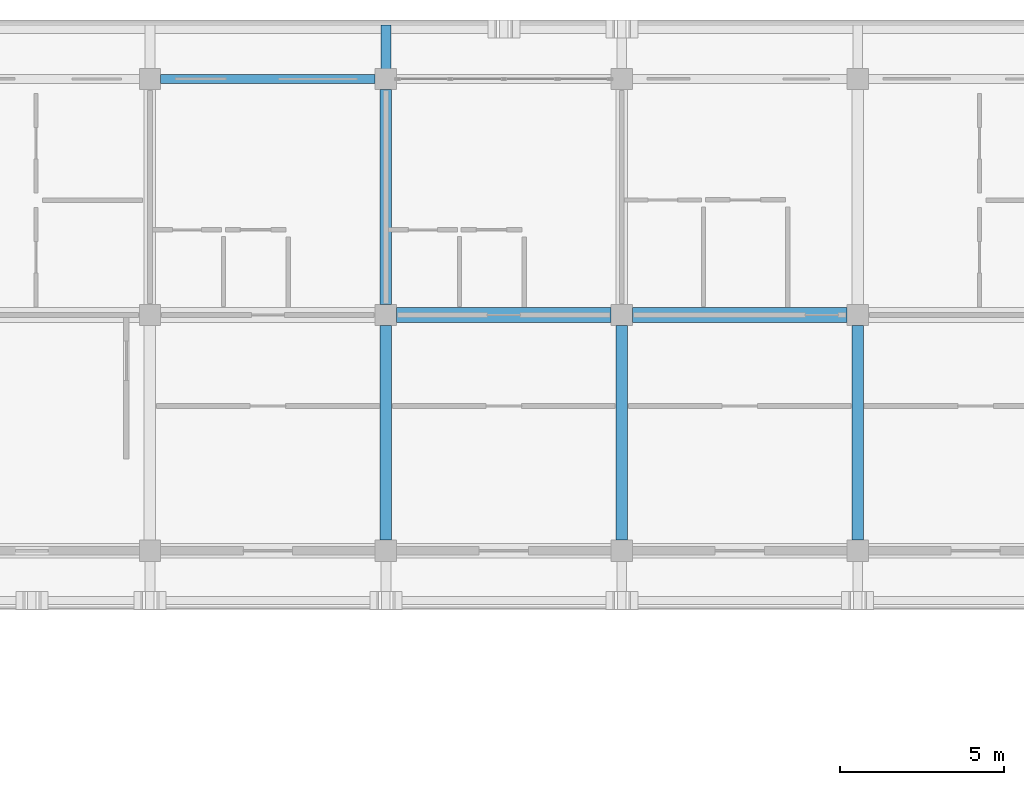
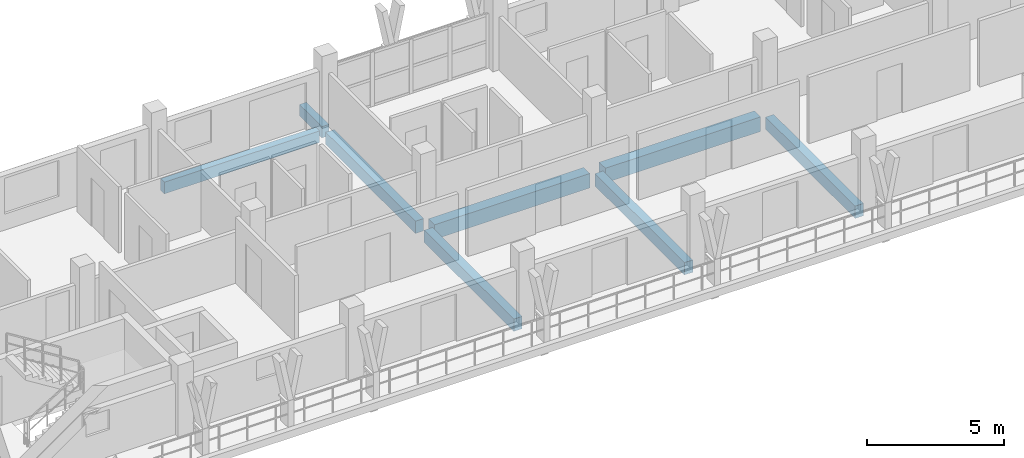
# One storey, part 21 of 78: 8 beams.
"""IFC4 building model written with IfcOpenShell, lengths in metres."""

from ifc_helpers import new_model, si_unit, direction, frame, origin, origin_2d, place, context, subcontext, project, spatial, rectangle, extrude, material, material_profile, profile_set, type_object, element, save


model = new_model("IFC4")

# Units and contexts
model_context = context("Model", 3, precision=1e-05, world=origin(), true_north=direction((0.0, 1.0)))
body_context = subcontext(model_context, "Body", "Model", "MODEL_VIEW")
ifc_project = project(units=[si_unit("LENGTHUNIT", "METRE"), si_unit("AREAUNIT", "SQUARE_METRE"), si_unit("VOLUMEUNIT", "CUBIC_METRE"), si_unit("PLANEANGLEUNIT", "RADIAN"), si_unit("MASSUNIT", "GRAM", prefix="KILO")], contexts=[model_context])

# Site, building, storey
site_placement = place(None, origin())
site = spatial("IfcSite", under=ifc_project, at=site_placement, CompositionType="ELEMENT")
building_placement = place(site_placement, origin())
building = spatial("IfcBuilding", under=site, at=building_placement, Name="Suanplinth Sawtooth Commons", CompositionType="ELEMENT")
storey_placement = place(building_placement, frame((0.0, 0.0, 15.39990234375)))
storey = spatial("IfcBuildingStorey", under=building, at=storey_placement, Name="L04", CompositionType="ELEMENT", Elevation=15.39990234375)

# Beams
ifc_material = material(Name="Precast concrete C40/50", Category="concrete")
ifc_material_profile_1 = material_profile(ifc_material, rectangle(XDim=0.449951171875, YDim=0.64990234375, at=origin_2d()), Name="PC-GDR 450x650")
ifc_profile_set_1 = profile_set([ifc_material_profile_1], Name="Precast concrete C40/50")
beam_type_1 = type_object("IfcBeamType", Name="B-04", PredefinedType="USERDEFINED", material=ifc_profile_set_1)
beam_1_placement = place(storey_placement, frame((79.52490234375, 115.199951171875, -0.544921875), z_axis=(1.0, 0.0, 0.0), x_axis=(0.0, 1.0, 0.0)))
element("IfcBeam", 1, at=beam_1_placement, inside=storey, type_object=beam_type_1, Name="BMX-L04-A-11-16", ObjectType="GIRDER", PredefinedType="USERDEFINED", context=body_context, shape_type="SweptSolid", body=[
    extrude(rectangle(XDim=0.449951171875, YDim=0.64990234375, at=origin_2d()), origin(), (0.0, 0.0, 1.0), 6.550048828125),
])
beam_2_placement = place(storey_placement, frame((86.72509765625, 115.199951171875, -0.544921875), z_axis=(1.0, 0.0, 0.0), x_axis=(0.0, 1.0, 0.0)))
element("IfcBeam", 2, at=beam_2_placement, inside=storey, type_object=beam_type_1, Name="BMX-L04-A-12-16", ObjectType="GIRDER", PredefinedType="USERDEFINED", context=body_context, shape_type="SweptSolid", body=[
    extrude(rectangle(XDim=0.449951171875, YDim=0.64990234375, at=origin_2d()), origin(), (0.0, 0.0, 1.0), 6.5498046875),
])
ifc_material_profile_2 = material_profile(ifc_material, rectangle(XDim=0.35009765625, YDim=0.550048828125, at=origin_2d()), Name="PC-BM 350x550")
ifc_profile_set_2 = profile_set([ifc_material_profile_2], Name="Precast concrete C40/50")
beam_type_2 = type_object("IfcBeamType", Name="B-06", PredefinedType="BEAM", material=ifc_profile_set_2)
for number, where, z_axis, x_axis, name in (
    (3, (79.199951171875, 108.324951171875, -0.494873046875), (0.0, 1.0, 0.0), (-1.0, 0.0, 0.0), "BMY-L04-A-11-15"),
    (4, (79.199951171875, 115.52490234375, -0.494873046875), (0.0, 1.0, 0.0), (-1.0, 0.0, 0.0), "BMY-L04-A-11-16"),
    (5, (86.39990234375, 108.324951171875, -0.494873046875), (0.0, 1.0, 0.0), (-1.0, 0.0, 0.0), "BMY-L04-A-12-15"),
    (6, (93.60009765625, 108.324951171875, -0.494873046875), (0.0, 1.0, 0.0), (-1.0, 0.0, 0.0), "BMY-L04-A-13-15"),
):
    element("IfcBeam", number, at=place(storey_placement, frame(where, z_axis=z_axis, x_axis=x_axis)), inside=storey, type_object=beam_type_2, Name=name, PredefinedType="BEAM", context=body_context, shape_type="SweptSolid", body=[
        extrude(rectangle(XDim=0.35009765625, YDim=0.550048828125, at=origin_2d()), origin(), (0.0, 0.0, 1.0), 6.550048828125),
    ])
ifc_material_profile_3 = material_profile(ifc_material, rectangle(XDim=0.300048828125, YDim=0.5, at=origin_2d()), Name="PC-BM 300x500")
ifc_profile_set_3 = profile_set([ifc_material_profile_3], Name="Precast concrete C40/50")
beam_type_3 = type_object("IfcBeamType", Name="B-07", PredefinedType="BEAM", material=ifc_profile_set_3)
beam_3_placement = place(storey_placement, frame((79.199951171875, 122.39990234375, -0.429931640625), z_axis=(0.0, 1.0, 0.0), x_axis=(-1.0, 0.0, 0.0)))
element("IfcBeam", 7, at=beam_3_placement, inside=storey, type_object=beam_type_3, Name="Balcony Outrigger L04-A-N-11", PredefinedType="BEAM", context=body_context, shape_type="SweptSolid", body=[
    extrude(rectangle(XDim=0.300048828125, YDim=0.5, at=origin_2d()), origin(), (0.0, 0.0, 1.0), 1.64013671875),
])
ifc_material_profile_4 = material_profile(ifc_material, rectangle(XDim=0.280029296875, YDim=0.52001953125, at=origin_2d()), Name="PC-SP 280x520")
ifc_profile_set_4 = profile_set([ifc_material_profile_4], Name="Precast concrete C40/50")
beam_type_4 = type_object("IfcBeamType", Name="B-08", PredefinedType="SPANDREL", material=ifc_profile_set_4)
beam_4_placement = place(storey_placement, frame((72.324951171875, 122.39990234375, -0.47998046875), z_axis=(1.0, 0.0, 0.0), x_axis=(0.0, 1.0, 0.0)))
element("IfcBeam", 8, at=beam_4_placement, inside=storey, type_object=beam_type_4, Name="BMX-L04-A-10-17", PredefinedType="SPANDREL", context=body_context, shape_type="SweptSolid", body=[
    extrude(rectangle(XDim=0.280029296875, YDim=0.52001953125, at=origin_2d()), origin(), (0.0, 0.0, 1.0), 6.550048828125),
])

save(model, "model.ifc")
